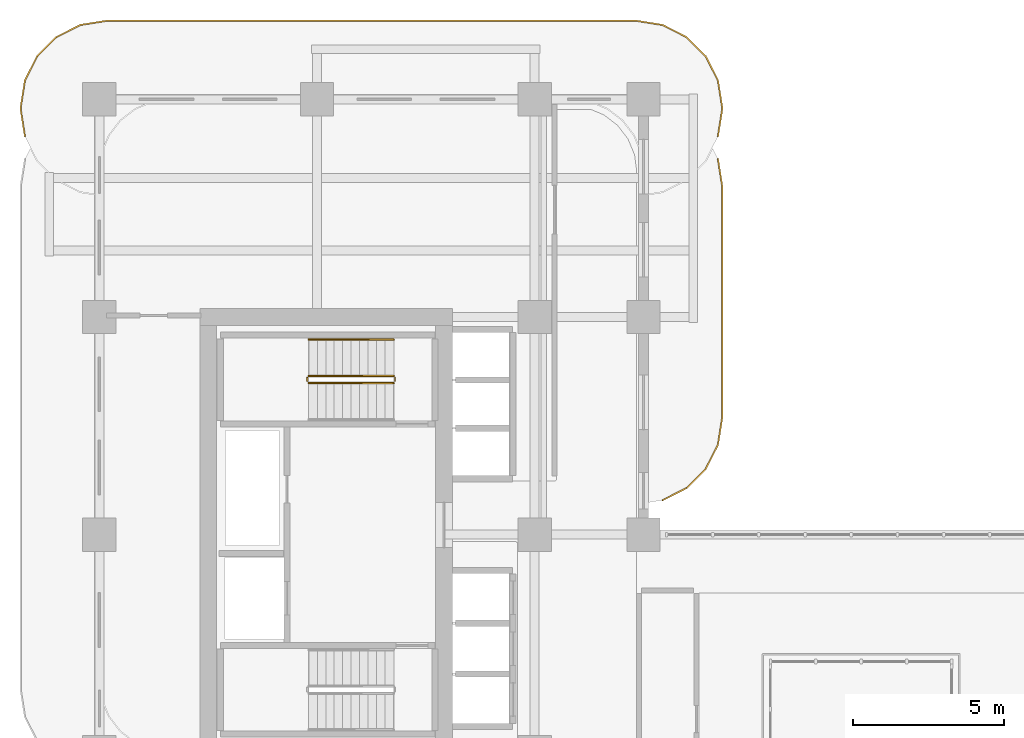
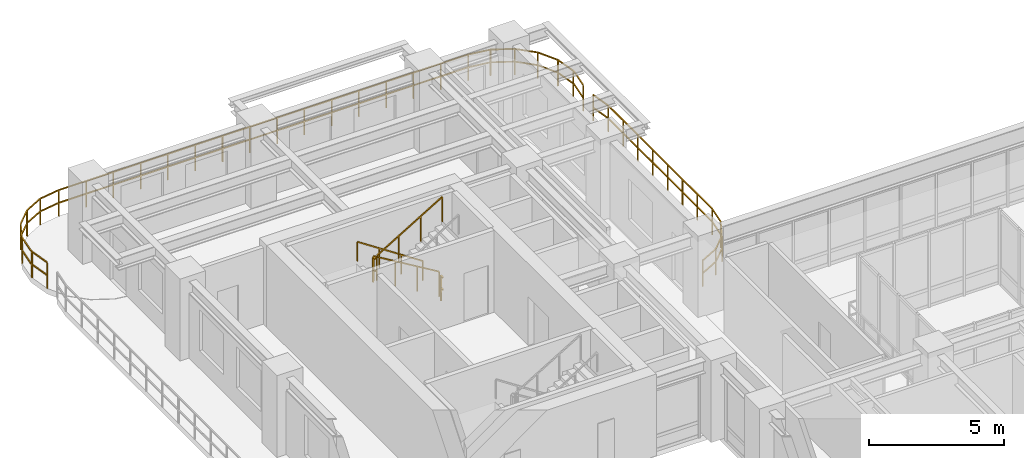
# One storey, part 22 of 22: 7 railings.
"""IFC4 building model written with IfcOpenShell, lengths in metres."""

from ifc_helpers import new_model, si_unit, derived_unit, direction, frame, origin, origin_2d, place, context, subcontext, project, spatial, rectangle, extrude, material, type_object, element, save


model = new_model("IFC4")

# Units and contexts
model_context = context("Model", 3, precision=1e-05, world=origin(), true_north=direction((0.0, 1.0)))
body_context = subcontext(model_context, "Body", "Model", "MODEL_VIEW")
ifc_project = project(units=[si_unit("LENGTHUNIT", "METRE"), si_unit("AREAUNIT", "SQUARE_METRE"), si_unit("VOLUMEUNIT", "CUBIC_METRE"), si_unit("PLANEANGLEUNIT", "RADIAN"), si_unit("MASSUNIT", "GRAM", prefix="KILO"), si_unit("THERMODYNAMICTEMPERATUREUNIT", "KELVIN"), si_unit("POWERUNIT", "WATT"), derived_unit("THERMALTRANSMITTANCEUNIT", [(si_unit("POWERUNIT", "WATT"), 1), (si_unit("AREAUNIT", "SQUARE_METRE"), -1), (si_unit("THERMODYNAMICTEMPERATUREUNIT", "KELVIN"), -1)])], contexts=[model_context])

# Site, building, storey
site_placement = place(None, origin())
site = spatial("IfcSite", under=ifc_project, at=site_placement, CompositionType="ELEMENT")
building_placement = place(site_placement, origin())
building = spatial("IfcBuilding", under=site, at=building_placement, Name="Zahravan Archway Hotel and Residences", CompositionType="ELEMENT")
storey_placement = place(building_placement, frame((0.0, 0.0, 99.0)))
storey = spatial("IfcBuildingStorey", under=building, at=storey_placement, Name="L24", CompositionType="ELEMENT", Elevation=99.0)

# Railings
ifc_material_1 = material(Name="Bronze & Laminated Glass Balustrade", Category="glass")
railing_type_1 = type_object("IfcRailingType", Name="RL-BAL-1200", PredefinedType="BALUSTRADE", material=ifc_material_1)
railing_1_placement = place(storey_placement, frame((-2.46044921875, 45.5693359375, 0.0)))
element("IfcRailing", 1, at=railing_1_placement, inside=storey, type_object=railing_type_1, Name="L24 Balustrade RL-SLB-BAL-L24-NB-1", PredefinedType="BALUSTRADE", context=body_context, shape_type="SweptSolid", body=[
    extrude(rectangle(XDim=0.048095703125, YDim=0.048095703125, at=origin_2d()), frame((0.0, 0.0, 1.17578125), z_axis=(-0.156623399917, 0.987658397726, 0.0), x_axis=(-0.987658397726, -0.156623399917, 0.0)), (0.0, 0.0, 1.0), 0.8916015625),
    extrude(rectangle(XDim=0.048095703125, YDim=0.048095703125, at=origin_2d()), frame((0.0, 0.0, 0.60009765625), z_axis=(-0.156623399917, 0.987658397726, 0.0), x_axis=(-0.987658397726, -0.156623399917, 0.0)), (0.0, 0.0, 1.0), 0.8916015625),
    extrude(rectangle(XDim=0.048095703125, YDim=0.048095703125, at=origin_2d()), frame((-0.1396484375, 0.880615234375, 1.17578125), z_axis=(0.0, 1.0, 0.0), x_axis=(-1.0, 0.0, 0.0)), (0.0, 0.0, 1.0), 0.10009765625),
    extrude(rectangle(XDim=0.048095703125, YDim=0.048095703125, at=origin_2d()), frame((-0.1396484375, 0.880615234375, 0.60009765625), z_axis=(0.0, 1.0, 0.0), x_axis=(-1.0, 0.0, 0.0)), (0.0, 0.0, 1.0), 0.10009765625),
    extrude(rectangle(XDim=0.048095703125, YDim=0.048095703125, at=origin_2d()), frame((-0.1396484375, 0.980712890625, 1.17578125), z_axis=(0.156623399917, 0.987658397726, 0.0), x_axis=(-0.987658397726, 0.156623399917, 0.0)), (0.0, 0.0, 1.0), 0.8916015625),
    extrude(rectangle(XDim=0.048095703125, YDim=0.048095703125, at=origin_2d()), frame((-0.1396484375, 0.980712890625, 0.60009765625), z_axis=(0.156623399917, 0.987658397726, 0.0), x_axis=(-0.987658397726, 0.156623399917, 0.0)), (0.0, 0.0, 1.0), 0.8916015625),
    extrude(rectangle(XDim=0.048095703125, YDim=0.048095703125, at=origin_2d()), frame((0.0, 1.861328125, 1.17578125), z_axis=(0.453991409995, 0.891006060389, 0.0), x_axis=(-0.891006060389, 0.453991409995, 0.0)), (0.0, 0.0, 1.0), 0.8916015625),
    extrude(rectangle(XDim=0.048095703125, YDim=0.048095703125, at=origin_2d()), frame((0.0, 1.861328125, 0.60009765625), z_axis=(0.453991409995, 0.891006060389, 0.0), x_axis=(-0.891006060389, 0.453991409995, 0.0)), (0.0, 0.0, 1.0), 0.8916015625),
    extrude(rectangle(XDim=0.048095703125, YDim=0.048095703125, at=origin_2d()), frame((0.40478515625, 2.65576171875, 1.17578125), z_axis=(0.706969864397, 0.70724367147, 0.0), x_axis=(-0.70724367147, 0.706969864397, 0.0)), (0.0, 0.0, 1.0), 0.8916015625),
    extrude(rectangle(XDim=0.048095703125, YDim=0.048095703125, at=origin_2d()), frame((0.40478515625, 2.65576171875, 0.60009765625), z_axis=(0.706969864397, 0.70724367147, 0.0), x_axis=(-0.70724367147, 0.706969864397, 0.0)), (0.0, 0.0, 1.0), 0.8916015625),
    extrude(rectangle(XDim=0.048095703125, YDim=0.048095703125, at=origin_2d()), frame((1.03515625, 3.286376953125, 1.17578125), z_axis=(0.891062476022, 0.45388067135, 0.0), x_axis=(-0.45388067135, 0.891062476022, 0.0)), (0.0, 0.0, 1.0), 0.891845703125),
    extrude(rectangle(XDim=0.048095703125, YDim=0.048095703125, at=origin_2d()), frame((1.03515625, 3.286376953125, 0.60009765625), z_axis=(0.891062476022, 0.45388067135, 0.0), x_axis=(-0.45388067135, 0.891062476022, 0.0)), (0.0, 0.0, 1.0), 0.891845703125),
    extrude(rectangle(XDim=0.048095703125, YDim=0.048095703125, at=origin_2d()), frame((1.829833984375, 3.691162109375, 1.17578125), z_axis=(0.987700720307, 0.156356282588, 0.0), x_axis=(-0.156356282588, 0.987700720307, 0.0)), (0.0, 0.0, 1.0), 0.8916015625),
    extrude(rectangle(XDim=0.048095703125, YDim=0.048095703125, at=origin_2d()), frame((1.829833984375, 3.691162109375, 0.60009765625), z_axis=(0.987700720307, 0.156356282588, 0.0), x_axis=(-0.156356282588, 0.987700720307, 0.0)), (0.0, 0.0, 1.0), 0.8916015625),
    extrude(rectangle(XDim=0.048095703125, YDim=0.048095703125, at=origin_2d()), frame((2.71044921875, 3.83056640625, 1.17578125), z_axis=(1.0, 0.0, 0.0), x_axis=(0.0, 1.0, 0.0)), (0.0, 0.0, 1.0), 17.5),
    extrude(rectangle(XDim=0.048095703125, YDim=0.048095703125, at=origin_2d()), frame((2.71044921875, 3.83056640625, 0.60009765625), z_axis=(1.0, 0.0, 0.0), x_axis=(0.0, 1.0, 0.0)), (0.0, 0.0, 1.0), 17.5),
    extrude(rectangle(XDim=0.048095703125, YDim=0.048095703125, at=origin_2d()), frame((20.21044921875, 3.83056640625, 1.17578125), z_axis=(0.987700720307, -0.156356282588, 0.0), x_axis=(0.156356282588, 0.987700720307, 0.0)), (0.0, 0.0, 1.0), 0.8916015625),
    extrude(rectangle(XDim=0.048095703125, YDim=0.048095703125, at=origin_2d()), frame((20.21044921875, 3.83056640625, 0.60009765625), z_axis=(0.987700720307, -0.156356282588, 0.0), x_axis=(0.156356282588, 0.987700720307, 0.0)), (0.0, 0.0, 1.0), 0.8916015625),
    extrude(rectangle(XDim=0.048095703125, YDim=0.048095703125, at=origin_2d()), frame((21.091064453125, 3.691162109375, 1.17578125), z_axis=(0.891062476022, -0.45388067135, 0.0), x_axis=(0.45388067135, 0.891062476022, 0.0)), (0.0, 0.0, 1.0), 0.891845703125),
    extrude(rectangle(XDim=0.048095703125, YDim=0.048095703125, at=origin_2d()), frame((21.091064453125, 3.691162109375, 0.60009765625), z_axis=(0.891062476022, -0.45388067135, 0.0), x_axis=(0.45388067135, 0.891062476022, 0.0)), (0.0, 0.0, 1.0), 0.891845703125),
    extrude(rectangle(XDim=0.048095703125, YDim=0.048095703125, at=origin_2d()), frame((21.8857421875, 3.286376953125, 1.17578125), z_axis=(0.706969864397, -0.70724367147, 0.0), x_axis=(0.70724367147, 0.706969864397, 0.0)), (0.0, 0.0, 1.0), 0.8916015625),
    extrude(rectangle(XDim=0.048095703125, YDim=0.048095703125, at=origin_2d()), frame((21.8857421875, 3.286376953125, 0.60009765625), z_axis=(0.706969864397, -0.70724367147, 0.0), x_axis=(0.70724367147, 0.706969864397, 0.0)), (0.0, 0.0, 1.0), 0.8916015625),
    extrude(rectangle(XDim=0.048095703125, YDim=0.048095703125, at=origin_2d()), frame((22.51611328125, 2.65576171875, 1.17578125), z_axis=(0.453991409995, -0.891006060389, 0.0), x_axis=(0.891006060389, 0.453991409995, 0.0)), (0.0, 0.0, 1.0), 0.8916015625),
    extrude(rectangle(XDim=0.048095703125, YDim=0.048095703125, at=origin_2d()), frame((22.51611328125, 2.65576171875, 0.60009765625), z_axis=(0.453991409995, -0.891006060389, 0.0), x_axis=(0.891006060389, 0.453991409995, 0.0)), (0.0, 0.0, 1.0), 0.8916015625),
    extrude(rectangle(XDim=0.048095703125, YDim=0.048095703125, at=origin_2d()), frame((22.9208984375, 1.861328125, 1.17578125), z_axis=(0.156623399917, -0.987658397726, 0.0), x_axis=(0.987658397726, 0.156623399917, 0.0)), (0.0, 0.0, 1.0), 0.8916015625),
    extrude(rectangle(XDim=0.048095703125, YDim=0.048095703125, at=origin_2d()), frame((22.9208984375, 1.861328125, 0.60009765625), z_axis=(0.156623399917, -0.987658397726, 0.0), x_axis=(0.987658397726, 0.156623399917, 0.0)), (0.0, 0.0, 1.0), 0.8916015625),
    extrude(rectangle(XDim=0.048095703125, YDim=0.048095703125, at=origin_2d()), frame((23.060546875, 0.980712890625, 1.17578125), z_axis=(0.0, -1.0, 0.0), x_axis=(1.0, 0.0, 0.0)), (0.0, 0.0, 1.0), 0.10009765625),
    extrude(rectangle(XDim=0.048095703125, YDim=0.048095703125, at=origin_2d()), frame((23.060546875, 0.980712890625, 0.60009765625), z_axis=(0.0, -1.0, 0.0), x_axis=(1.0, 0.0, 0.0)), (0.0, 0.0, 1.0), 0.10009765625),
    extrude(rectangle(XDim=0.048095703125, YDim=0.048095703125, at=origin_2d()), frame((23.060546875, 0.880615234375, 1.17578125), z_axis=(-0.156623399917, -0.987658397726, 0.0), x_axis=(0.987658397726, -0.156623399917, 0.0)), (0.0, 0.0, 1.0), 0.8916015625),
    extrude(rectangle(XDim=0.048095703125, YDim=0.048095703125, at=origin_2d()), frame((23.060546875, 0.880615234375, 0.60009765625), z_axis=(-0.156623399917, -0.987658397726, 0.0), x_axis=(0.987658397726, -0.156623399917, 0.0)), (0.0, 0.0, 1.0), 0.8916015625),
    extrude(rectangle(XDim=0.0419921875, YDim=0.0419921875, at=origin_2d()), origin(), (0.0, 0.0, 1.0), 1.15185546875),
    extrude(rectangle(XDim=0.0419921875, YDim=0.0419921875, at=origin_2d()), frame((-0.1396484375, 0.880615234375, 0.0)), (0.0, 0.0, 1.0), 1.15185546875),
    extrude(rectangle(XDim=0.0419921875, YDim=0.0419921875, at=origin_2d()), frame((0.0, 1.861328125, 0.0)), (0.0, 0.0, 1.0), 1.15185546875),
    extrude(rectangle(XDim=0.0419921875, YDim=0.0419921875, at=origin_2d()), frame((0.40478515625, 2.65576171875, 0.0)), (0.0, 0.0, 1.0), 1.15185546875),
    extrude(rectangle(XDim=0.0419921875, YDim=0.0419921875, at=origin_2d()), frame((1.03515625, 3.286376953125, 0.0)), (0.0, 0.0, 1.0), 1.15185546875),
    extrude(rectangle(XDim=0.0419921875, YDim=0.0419921875, at=origin_2d()), frame((1.829833984375, 3.691162109375, 0.0)), (0.0, 0.0, 1.0), 1.15185546875),
    extrude(rectangle(XDim=0.0419921875, YDim=0.0419921875, at=origin_2d()), frame((2.71044921875, 3.83056640625, 0.0)), (0.0, 0.0, 1.0), 1.15185546875),
    extrude(rectangle(XDim=0.0419921875, YDim=0.0419921875, at=origin_2d()), frame((3.877197265625, 3.83056640625, 0.0)), (0.0, 0.0, 1.0), 1.15185546875),
    extrude(rectangle(XDim=0.0419921875, YDim=0.0419921875, at=origin_2d()), frame((5.043701171875, 3.83056640625, 0.0)), (0.0, 0.0, 1.0), 1.15185546875),
    extrude(rectangle(XDim=0.0419921875, YDim=0.0419921875, at=origin_2d()), frame((6.21044921875, 3.83056640625, 0.0)), (0.0, 0.0, 1.0), 1.15185546875),
    extrude(rectangle(XDim=0.0419921875, YDim=0.0419921875, at=origin_2d()), frame((7.377197265625, 3.83056640625, 0.0)), (0.0, 0.0, 1.0), 1.15185546875),
    extrude(rectangle(XDim=0.0419921875, YDim=0.0419921875, at=origin_2d()), frame((8.543701171875, 3.83056640625, 0.0)), (0.0, 0.0, 1.0), 1.15185546875),
    extrude(rectangle(XDim=0.0419921875, YDim=0.0419921875, at=origin_2d()), frame((9.71044921875, 3.83056640625, 0.0)), (0.0, 0.0, 1.0), 1.15185546875),
    extrude(rectangle(XDim=0.0419921875, YDim=0.0419921875, at=origin_2d()), frame((10.877197265625, 3.83056640625, 0.0)), (0.0, 0.0, 1.0), 1.15185546875),
    extrude(rectangle(XDim=0.0419921875, YDim=0.0419921875, at=origin_2d()), frame((12.043701171875, 3.83056640625, 0.0)), (0.0, 0.0, 1.0), 1.15185546875),
    extrude(rectangle(XDim=0.0419921875, YDim=0.0419921875, at=origin_2d()), frame((13.21044921875, 3.83056640625, 0.0)), (0.0, 0.0, 1.0), 1.15185546875),
    extrude(rectangle(XDim=0.0419921875, YDim=0.0419921875, at=origin_2d()), frame((14.377197265625, 3.83056640625, 0.0)), (0.0, 0.0, 1.0), 1.15185546875),
    extrude(rectangle(XDim=0.0419921875, YDim=0.0419921875, at=origin_2d()), frame((15.543701171875, 3.83056640625, 0.0)), (0.0, 0.0, 1.0), 1.15185546875),
    extrude(rectangle(XDim=0.0419921875, YDim=0.0419921875, at=origin_2d()), frame((16.71044921875, 3.83056640625, 0.0)), (0.0, 0.0, 1.0), 1.15185546875),
    extrude(rectangle(XDim=0.0419921875, YDim=0.0419921875, at=origin_2d()), frame((17.877197265625, 3.83056640625, 0.0)), (0.0, 0.0, 1.0), 1.15185546875),
    extrude(rectangle(XDim=0.0419921875, YDim=0.0419921875, at=origin_2d()), frame((19.043701171875, 3.83056640625, 0.0)), (0.0, 0.0, 1.0), 1.15185546875),
    extrude(rectangle(XDim=0.0419921875, YDim=0.0419921875, at=origin_2d()), frame((20.21044921875, 3.83056640625, 0.0)), (0.0, 0.0, 1.0), 1.15185546875),
    extrude(rectangle(XDim=0.0419921875, YDim=0.0419921875, at=origin_2d()), frame((21.091064453125, 3.691162109375, 0.0)), (0.0, 0.0, 1.0), 1.15185546875),
    extrude(rectangle(XDim=0.0419921875, YDim=0.0419921875, at=origin_2d()), frame((21.8857421875, 3.286376953125, 0.0)), (0.0, 0.0, 1.0), 1.15185546875),
    extrude(rectangle(XDim=0.0419921875, YDim=0.0419921875, at=origin_2d()), frame((22.51611328125, 2.65576171875, 0.0)), (0.0, 0.0, 1.0), 1.15185546875),
    extrude(rectangle(XDim=0.0419921875, YDim=0.0419921875, at=origin_2d()), frame((22.9208984375, 1.861328125, 0.0)), (0.0, 0.0, 1.0), 1.15185546875),
    extrude(rectangle(XDim=0.0419921875, YDim=0.0419921875, at=origin_2d()), frame((23.060546875, 0.980712890625, 0.0)), (0.0, 0.0, 1.0), 1.15185546875),
    extrude(rectangle(XDim=0.0419921875, YDim=0.0419921875, at=origin_2d()), frame((22.9208984375, 0.0, 0.0)), (0.0, 0.0, 1.0), 1.15185546875),
])
railing_2_placement = place(storey_placement, frame((20.46044921875, 44.830810546875, 0.0)))
element("IfcRailing", 2, at=railing_2_placement, inside=storey, type_object=railing_type_1, Name="L24 Balustrade RL-SLB-BAL-L24-EB-1", PredefinedType="BALUSTRADE", context=body_context, shape_type="SweptSolid", body=[
    extrude(rectangle(XDim=0.048095703125, YDim=0.048095703125, at=origin_2d()), frame((0.0, 0.0, 1.17578125), z_axis=(0.156581054338, -0.98766511198, 0.0), x_axis=(0.98766511198, 0.156581054338, 0.0)), (0.0, 0.0, 1.0), 0.891845703125),
    extrude(rectangle(XDim=0.048095703125, YDim=0.048095703125, at=origin_2d()), frame((0.0, 0.0, 0.60009765625), z_axis=(0.156581054338, -0.98766511198, 0.0), x_axis=(0.98766511198, 0.156581054338, 0.0)), (0.0, 0.0, 1.0), 0.891845703125),
    extrude(rectangle(XDim=0.048095703125, YDim=0.048095703125, at=origin_2d()), frame((0.1396484375, -0.880859375, 1.17578125), z_axis=(0.0, -1.0, 0.0), x_axis=(1.0, 0.0, 0.0)), (0.0, 0.0, 1.0), 7.699951171875),
    extrude(rectangle(XDim=0.048095703125, YDim=0.048095703125, at=origin_2d()), frame((0.1396484375, -0.880859375, 0.60009765625), z_axis=(0.0, -1.0, 0.0), x_axis=(1.0, 0.0, 0.0)), (0.0, 0.0, 1.0), 7.699951171875),
    extrude(rectangle(XDim=0.048095703125, YDim=0.048095703125, at=origin_2d()), frame((0.1396484375, -8.580810546875, 1.17578125), z_axis=(-0.156623399917, -0.987658397726, 0.0), x_axis=(0.987658397726, -0.156623399917, 0.0)), (0.0, 0.0, 1.0), 0.8916015625),
    extrude(rectangle(XDim=0.048095703125, YDim=0.048095703125, at=origin_2d()), frame((0.1396484375, -8.580810546875, 0.60009765625), z_axis=(-0.156623399917, -0.987658397726, 0.0), x_axis=(0.987658397726, -0.156623399917, 0.0)), (0.0, 0.0, 1.0), 0.8916015625),
    extrude(rectangle(XDim=0.048095703125, YDim=0.048095703125, at=origin_2d()), frame((0.0, -9.46142578125, 1.17578125), z_axis=(-0.45388067135, -0.891062476022, 0.0), x_axis=(0.891062476022, -0.45388067135, 0.0)), (0.0, 0.0, 1.0), 0.891845703125),
    extrude(rectangle(XDim=0.048095703125, YDim=0.048095703125, at=origin_2d()), frame((0.0, -9.46142578125, 0.60009765625), z_axis=(-0.45388067135, -0.891062476022, 0.0), x_axis=(0.891062476022, -0.45388067135, 0.0)), (0.0, 0.0, 1.0), 0.891845703125),
    extrude(rectangle(XDim=0.048095703125, YDim=0.048095703125, at=origin_2d()), frame((-0.40478515625, -10.256103515625, 1.17578125), z_axis=(-0.707106781187, -0.707106781187, 0.0), x_axis=(0.707106781187, -0.707106781187, 0.0)), (0.0, 0.0, 1.0), 0.891357421875),
    extrude(rectangle(XDim=0.048095703125, YDim=0.048095703125, at=origin_2d()), frame((-0.40478515625, -10.256103515625, 0.60009765625), z_axis=(-0.707106781187, -0.707106781187, 0.0), x_axis=(0.707106781187, -0.707106781187, 0.0)), (0.0, 0.0, 1.0), 0.891357421875),
    extrude(rectangle(XDim=0.048095703125, YDim=0.048095703125, at=origin_2d()), frame((-1.03515625, -10.886474609375, 1.17578125), z_axis=(-0.891062476022, -0.45388067135, 0.0), x_axis=(0.45388067135, -0.891062476022, 0.0)), (0.0, 0.0, 1.0), 0.891845703125),
    extrude(rectangle(XDim=0.048095703125, YDim=0.048095703125, at=origin_2d()), frame((-1.03515625, -10.886474609375, 0.60009765625), z_axis=(-0.891062476022, -0.45388067135, 0.0), x_axis=(0.45388067135, -0.891062476022, 0.0)), (0.0, 0.0, 1.0), 0.891845703125),
    extrude(rectangle(XDim=0.0419921875, YDim=0.0419921875, at=origin_2d()), origin(), (0.0, 0.0, 1.0), 1.15185546875),
    extrude(rectangle(XDim=0.0419921875, YDim=0.0419921875, at=origin_2d()), frame((0.1396484375, -0.880859375, 0.0)), (0.0, 0.0, 1.0), 1.15185546875),
    extrude(rectangle(XDim=0.0419921875, YDim=0.0419921875, at=origin_2d()), frame((0.1396484375, -1.98095703125, 0.0)), (0.0, 0.0, 1.0), 1.15185546875),
    extrude(rectangle(XDim=0.0419921875, YDim=0.0419921875, at=origin_2d()), frame((0.1396484375, -3.080810546875, 0.0)), (0.0, 0.0, 1.0), 1.15185546875),
    extrude(rectangle(XDim=0.0419921875, YDim=0.0419921875, at=origin_2d()), frame((0.1396484375, -4.180908203125, 0.0)), (0.0, 0.0, 1.0), 1.15185546875),
    extrude(rectangle(XDim=0.0419921875, YDim=0.0419921875, at=origin_2d()), frame((0.1396484375, -5.28076171875, 0.0)), (0.0, 0.0, 1.0), 1.15185546875),
    extrude(rectangle(XDim=0.0419921875, YDim=0.0419921875, at=origin_2d()), frame((0.1396484375, -6.380859375, 0.0)), (0.0, 0.0, 1.0), 1.15185546875),
    extrude(rectangle(XDim=0.0419921875, YDim=0.0419921875, at=origin_2d()), frame((0.1396484375, -7.480712890625, 0.0)), (0.0, 0.0, 1.0), 1.15185546875),
    extrude(rectangle(XDim=0.0419921875, YDim=0.0419921875, at=origin_2d()), frame((0.1396484375, -8.580810546875, 0.0)), (0.0, 0.0, 1.0), 1.15185546875),
    extrude(rectangle(XDim=0.0419921875, YDim=0.0419921875, at=origin_2d()), frame((0.0, -9.46142578125, 0.0)), (0.0, 0.0, 1.0), 1.15185546875),
    extrude(rectangle(XDim=0.0419921875, YDim=0.0419921875, at=origin_2d()), frame((-0.40478515625, -10.256103515625, 0.0)), (0.0, 0.0, 1.0), 1.15185546875),
    extrude(rectangle(XDim=0.0419921875, YDim=0.0419921875, at=origin_2d()), frame((-1.03515625, -10.886474609375, 0.0)), (0.0, 0.0, 1.0), 1.15185546875),
    extrude(rectangle(XDim=0.0419921875, YDim=0.0419921875, at=origin_2d()), frame((-1.829833984375, -11.291259765625, 0.0)), (0.0, 0.0, 1.0), 1.15185546875),
])
ifc_material_2 = material(Name="Painted Tubular Steel", Category="steel")
railing_type_2 = type_object("IfcRailingType", Name="RL-STG-1150", PredefinedType="GUARDRAIL", material=ifc_material_2)
railing_3_placement = place(storey_placement, frame((9.72998046875, 37.64990234375, 0.168212890625)))
element("IfcRailing", 3, at=railing_3_placement, inside=storey, type_object=railing_type_2, Name="L24 ST-B2 stair guard 1", PredefinedType="GUARDRAIL", context=body_context, shape_type="SweptSolid", body=[
    extrude(rectangle(XDim=0.048095703125, YDim=0.048095703125, at=origin_2d()), frame((0.0, 0.0, 1.1259765625), z_axis=(-0.857242210791, 0.0, 0.514913383045), x_axis=(0.0, -1.0, 0.0)), (0.0, 0.0, 1.0), 3.266357421875),
    extrude(rectangle(XDim=0.0419921875, YDim=0.0419921875, at=origin_2d()), origin(), (0.0, 0.0, 1.0), 1.101806640625),
    extrude(rectangle(XDim=0.0419921875, YDim=0.0419921875, at=origin_2d()), frame((-0.933349609375, 0.0, 0.560546875)), (0.0, 0.0, 1.0), 1.101806640625),
    extrude(rectangle(XDim=0.0419921875, YDim=0.0419921875, at=origin_2d()), frame((-1.86669921875, 0.0, 1.121337890625)), (0.0, 0.0, 1.0), 1.101806640625),
    extrude(rectangle(XDim=0.0419921875, YDim=0.0419921875, at=origin_2d()), frame((-2.800048828125, 0.0, 1.681884765625)), (0.0, 0.0, 1.0), 1.101806640625),
])
railing_4_placement = place(storey_placement, frame((6.8798828125, 37.60009765625, 1.85009765625)))
element("IfcRailing", 4, at=railing_4_placement, inside=storey, type_object=railing_type_2, Name="L24 ST-B2 stair guard 2", PredefinedType="GUARDRAIL", context=body_context, shape_type="SweptSolid", body=[
    extrude(rectangle(XDim=0.048095703125, YDim=0.048095703125, at=origin_2d()), frame((0.0, 0.0, 1.1259765625), z_axis=(0.0, -1.0, 0.0), x_axis=(1.0, 0.0, 0.0)), (0.0, 0.0, 1.0), 0.14013671875),
    extrude(rectangle(XDim=0.048095703125, YDim=0.048095703125, at=origin_2d()), frame((0.0, 0.0, 0.574951171875), z_axis=(0.0, -1.0, 0.0), x_axis=(1.0, 0.0, 0.0)), (0.0, 0.0, 1.0), 0.14013671875),
    extrude(rectangle(XDim=0.0419921875, YDim=0.0419921875, at=origin_2d()), origin(), (0.0, 0.0, 1.0), 1.101806640625),
])
railing_5_placement = place(storey_placement, frame((6.929931640625, 37.409912109375, 2.01806640625)))
element("IfcRailing", 5, at=railing_5_placement, inside=storey, type_object=railing_type_2, Name="L24 ST-B2 stair guard 3", PredefinedType="GUARDRAIL", context=body_context, shape_type="SweptSolid", body=[
    extrude(rectangle(XDim=0.048095703125, YDim=0.048095703125, at=origin_2d()), frame((0.0, 0.0, 1.1259765625), z_axis=(0.857242210791, 0.0, 0.514913383045), x_axis=(0.0, 1.0, 0.0)), (0.0, 0.0, 1.0), 3.266357421875),
    extrude(rectangle(XDim=0.0419921875, YDim=0.0419921875, at=origin_2d()), origin(), (0.0, 0.0, 1.0), 1.101806640625),
    extrude(rectangle(XDim=0.0419921875, YDim=0.0419921875, at=origin_2d()), frame((0.933349609375, 0.0, 0.560546875)), (0.0, 0.0, 1.0), 1.101806640625),
    extrude(rectangle(XDim=0.0419921875, YDim=0.0419921875, at=origin_2d()), frame((1.86669921875, 0.0, 1.121337890625)), (0.0, 0.0, 1.0), 1.101806640625),
    extrude(rectangle(XDim=0.0419921875, YDim=0.0419921875, at=origin_2d()), frame((2.800048828125, 0.0, 1.681884765625)), (0.0, 0.0, 1.0), 1.101806640625),
])
railing_6_placement = place(storey_placement, frame((9.780029296875, 37.60009765625, 0.0)))
element("IfcRailing", 6, at=railing_6_placement, inside=storey, type_object=railing_type_2, Name="L24 ST-B2 stair guard 4", PredefinedType="GUARDRAIL", context=body_context, shape_type="SweptSolid", body=[
    extrude(rectangle(XDim=0.048095703125, YDim=0.048095703125, at=origin_2d()), frame((0.0, 0.0, 1.1259765625), z_axis=(0.0, -1.0, 0.0), x_axis=(1.0, 0.0, 0.0)), (0.0, 0.0, 1.0), 0.14013671875),
    extrude(rectangle(XDim=0.048095703125, YDim=0.048095703125, at=origin_2d()), frame((0.0, 0.0, 0.574951171875), z_axis=(0.0, -1.0, 0.0), x_axis=(1.0, 0.0, 0.0)), (0.0, 0.0, 1.0), 0.14013671875),
    extrude(rectangle(XDim=0.0419921875, YDim=0.0419921875, at=origin_2d()), origin(), (0.0, 0.0, 1.0), 1.101806640625),
])
ifc_material_3 = material(Name="Brushed Stainless Steel", Category="steel")
railing_type_3 = type_object("IfcRailingType", Name="RL-STH-900", PredefinedType="HANDRAIL", material=ifc_material_3)
railing_7_placement = place(storey_placement, frame((9.72998046875, 38.85009765625, 0.168212890625)))
element("IfcRailing", 7, at=railing_7_placement, inside=storey, type_object=railing_type_3, Name="L24 ST-B2 stair handrail 1", PredefinedType="HANDRAIL", context=body_context, shape_type="SweptSolid", body=[
    extrude(rectangle(XDim=0.048095703125, YDim=0.048095703125, at=origin_2d()), frame((0.0, 0.0, 0.8759765625), z_axis=(-0.83435981716, 0.0, 0.551220187865), x_axis=(0.0, -1.0, 0.0)), (0.0, 0.0, 1.0), 3.35595703125),
    extrude(rectangle(XDim=0.0419921875, YDim=0.0419921875, at=origin_2d()), origin(), (0.0, 0.0, 1.0), 0.851806640625),
    extrude(rectangle(XDim=0.0419921875, YDim=0.0419921875, at=origin_2d()), frame((-0.933349609375, 0.0, 0.61669921875)), (0.0, 0.0, 1.0), 0.851806640625),
    extrude(rectangle(XDim=0.0419921875, YDim=0.0419921875, at=origin_2d()), frame((-1.86669921875, 0.0, 1.233154296875)), (0.0, 0.0, 1.0), 0.851806640625),
    extrude(rectangle(XDim=0.0419921875, YDim=0.0419921875, at=origin_2d()), frame((-2.800048828125, 0.0, 1.849853515625)), (0.0, 0.0, 1.0), 0.851806640625),
])

save(model, "model.ifc")
